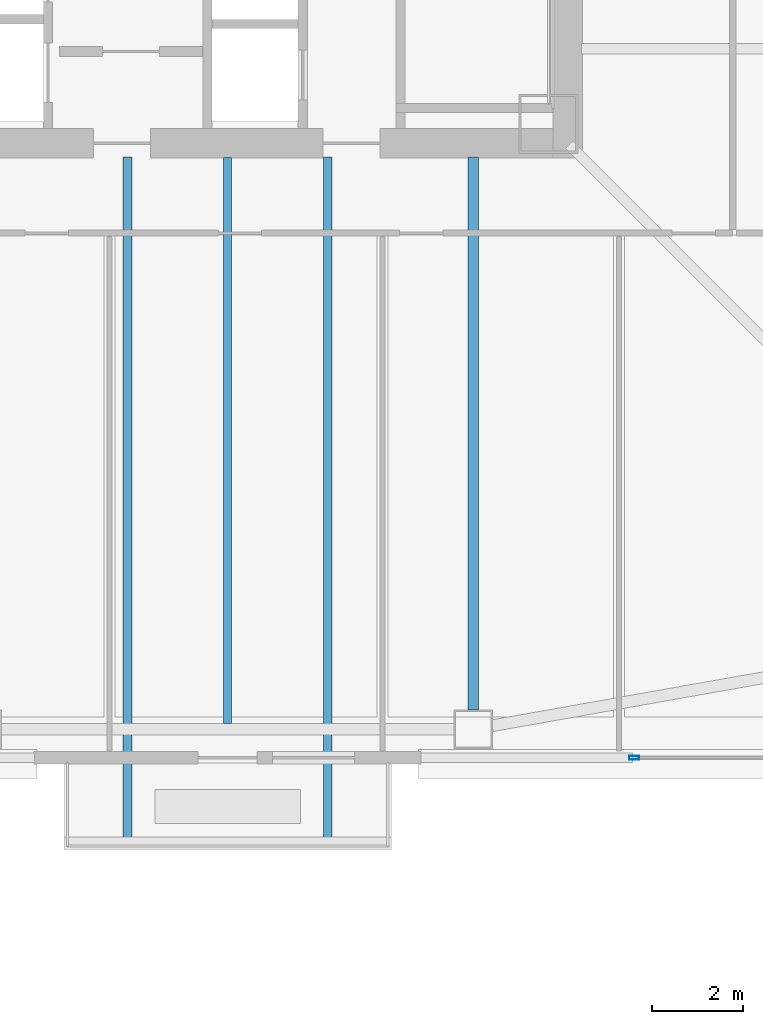
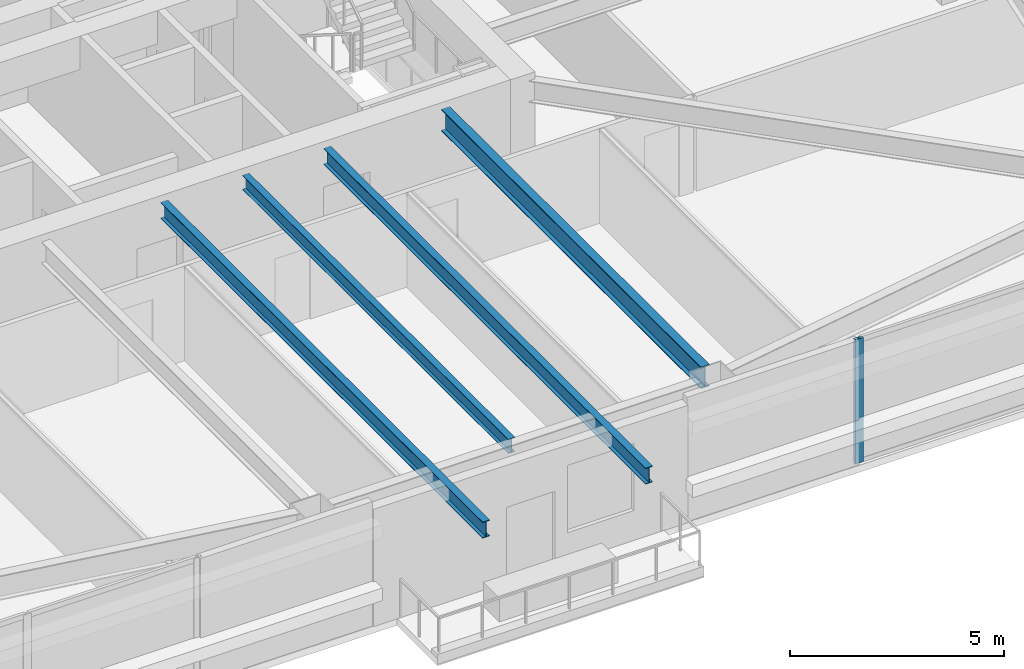
# One storey, part 5 of 44: 4 beams, 1 member, 1 element without a shape of its own.
"""IFC4 building model written with IfcOpenShell, lengths in metres."""

from ifc_helpers import new_model, si_unit, direction, frame, origin, origin_2d, place, context, subcontext, project, spatial, hollow_rectangle, i_section, extrude, material, material_profile, profile_set, type_object, element, aggregate, save


model = new_model("IFC4")

# Units and contexts
model_context = context("Model", 3, precision=1e-05, world=origin(), true_north=direction((0.0, 1.0)))
body_context = subcontext(model_context, "Body", "Model", "MODEL_VIEW")
ifc_project = project(units=[si_unit("LENGTHUNIT", "METRE"), si_unit("AREAUNIT", "SQUARE_METRE"), si_unit("VOLUMEUNIT", "CUBIC_METRE"), si_unit("PLANEANGLEUNIT", "RADIAN"), si_unit("MASSUNIT", "GRAM", prefix="KILO")], contexts=[model_context])

# Site, building, storey
site_placement = place(None, origin())
site = spatial("IfcSite", under=ifc_project, at=site_placement, CompositionType="ELEMENT")
building_placement = place(site_placement, origin())
building = spatial("IfcBuilding", under=site, at=building_placement, Name="Tashvorn Skyway Center", CompositionType="ELEMENT")
storey_placement = place(building_placement, frame((0.0, 0.0, 92.050048828125)))
storey = spatial("IfcBuildingStorey", under=building, at=storey_placement, Name="L24", CompositionType="ELEMENT", Elevation=92.050048828125)

# Beams
ifc_material_1 = material(Name="Steel ASTM A992 Grade 50", Category="steel")
ifc_material_profile_1 = material_profile(ifc_material_1, i_section(OverallWidth=0.22998046875, OverallDepth=0.616943359375, WebThickness=0.01318359375, FlangeThickness=0.022216796875, at=origin_2d()), Name="W24X94")
ifc_profile_set_1 = profile_set([ifc_material_profile_1], Name="Steel ASTM A992 Grade 50")
beam_type_1 = type_object("IfcBeamType", Name="BM-BEAM-W24X94", PredefinedType="BEAM", material=ifc_profile_set_1)
beam_1_placement = place(storey_placement, frame((47.39990234375, 12.070068359375, 3.04150390625), z_axis=(0.0, 1.0, 0.0), x_axis=(-1.0, 0.0, 0.0)))
element("IfcBeam", 1, at=beam_1_placement, inside=storey, type_object=beam_type_1, Name="Tower 1 L24 Primary Floor Girder FC-S2", PredefinedType="BEAM", context=body_context, shape_type="SweptSolid", body=[
    extrude(i_section(OverallWidth=0.22998046875, OverallDepth=0.616943359375, WebThickness=0.01318359375, FlangeThickness=0.022216796875, at=origin_2d()), origin(), (0.0, 0.0, 1.0), 12.14990234375),
])
ifc_material_profile_2 = material_profile(ifc_material_1, i_section(OverallWidth=0.177978515625, OverallDepth=0.406005859375, WebThickness=0.0078125, FlangeThickness=0.0126953125, at=origin_2d()), Name="W16X40")
ifc_profile_set_2 = profile_set([ifc_material_profile_2], Name="Steel ASTM A992 Grade 50")
beam_type_2 = type_object("IfcBeamType", Name="BM-JOIST-W16X40", PredefinedType="JOIST", material=ifc_profile_set_2)
beam_2_placement = place(storey_placement, frame((42.0, 24.2099609375, 3.14697265625), z_axis=(0.0, -1.0, 0.0), x_axis=(1.0, 0.0, 0.0)))
element("IfcBeam", 2, at=beam_2_placement, inside=storey, type_object=beam_type_2, Name="Tower 1 L24 Secondary Composite Joist JS", PredefinedType="JOIST", context=body_context, shape_type="SweptSolid", body=[
    extrude(i_section(OverallWidth=0.177978515625, OverallDepth=0.406005859375, WebThickness=0.0078125, FlangeThickness=0.0126953125, at=origin_2d()), origin(), (0.0, 0.0, 1.0), 12.43994140625),
])
ifc_material_profile_3 = material_profile(ifc_material_1, i_section(OverallWidth=0.19091796875, OverallDepth=0.4599609375, WebThickness=0.010009765625, FlangeThickness=0.01611328125, at=origin_2d()), Name="W18X55")
ifc_profile_set_3 = profile_set([ifc_material_profile_3], Name="Steel ASTM A992 Grade 50")
beam_type_3 = type_object("IfcBeamType", Name="BM-JOIST-W18X55", PredefinedType="JOIST", material=ifc_profile_set_3)
for number, where, z_axis, x_axis, name in (
    (3, (39.800048828125, 24.219970703125, 3.119873046875), (0.0, -1.0, 0.0), (1.0, 0.0, 0.0), "Tower 1 L25 Terrace Cantilever Outlooker 1"),
    (4, (44.199951171875, 24.219970703125, 3.119873046875), (0.0, -1.0, 0.0), (1.0, 0.0, 0.0), "Tower 1 L25 Terrace Cantilever Outlooker 2"),
):
    element("IfcBeam", number, at=place(storey_placement, frame(where, z_axis=z_axis, x_axis=x_axis)), inside=storey, type_object=beam_type_3, Name=name, PredefinedType="JOIST", context=body_context, shape_type="SweptSolid", body=[
        extrude(i_section(OverallWidth=0.19091796875, OverallDepth=0.4599609375, WebThickness=0.010009765625, FlangeThickness=0.01611328125, at=origin_2d()), origin(), (0.0, 0.0, 1.0), 15.070068359375),
    ])

# Curtain wall, member
ifc_material_2 = material(Name="Thermally broken bronze-anodized aluminium 6063-T6", Category="aluminium")
curtain_wall_type = type_object("IfcCurtainWallType", Name="CW-CW-Z2", PredefinedType="NOTDEFINED", material=ifc_material_2)
curtain_wall_placement = place(storey_placement, origin())
curtain_wall = element("IfcCurtainWall", 5, at=curtain_wall_placement, inside=storey, type_object=curtain_wall_type, Name="Tower 1 L24 South Curtain Wall L Glazing Group 1", PredefinedType="NOTDEFINED")
ifc_material_profile_4 = material_profile(ifc_material_2, hollow_rectangle(XDim=0.080078125, YDim=0.219970703125, WallThickness=0.0048828125, at=origin_2d()), Name="ALU-MULL-80x220")
ifc_profile_set_4 = profile_set([ifc_material_profile_4], Name="Thermally broken bronze-anodized aluminium 6063-T6")
member_type = type_object("IfcMemberType", Name="CWM-CW-Z2", PredefinedType="MULLION", material=ifc_profile_set_4)
member_placement = place(storey_placement, frame((50.933349609375, 11.02001953125, 0.0), z_axis=(0.0, 0.0, 1.0), x_axis=(0.0, -1.0, 0.0)))
member = element("IfcMember", 6, at=member_placement, type_object=member_type, Name="CW-Z2 mullion 3", PredefinedType="MULLION", context=body_context, shape_type="SweptSolid", body=[
    extrude(hollow_rectangle(XDim=0.080078125, YDim=0.219970703125, WallThickness=0.0048828125, at=origin_2d()), origin(), (0.0, 0.0, 1.0), 3.550048828125),
])
aggregate(curtain_wall, [member])

save(model, "model.ifc")
